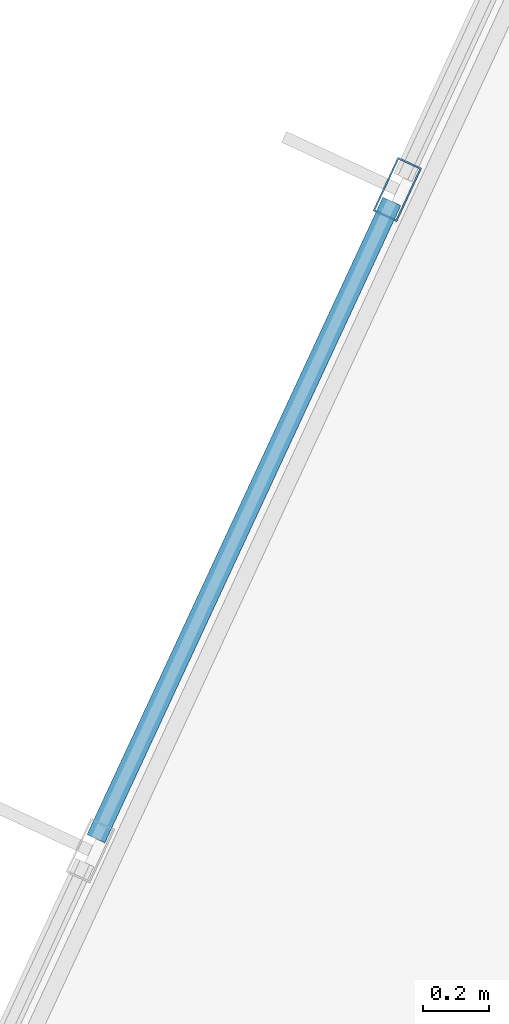
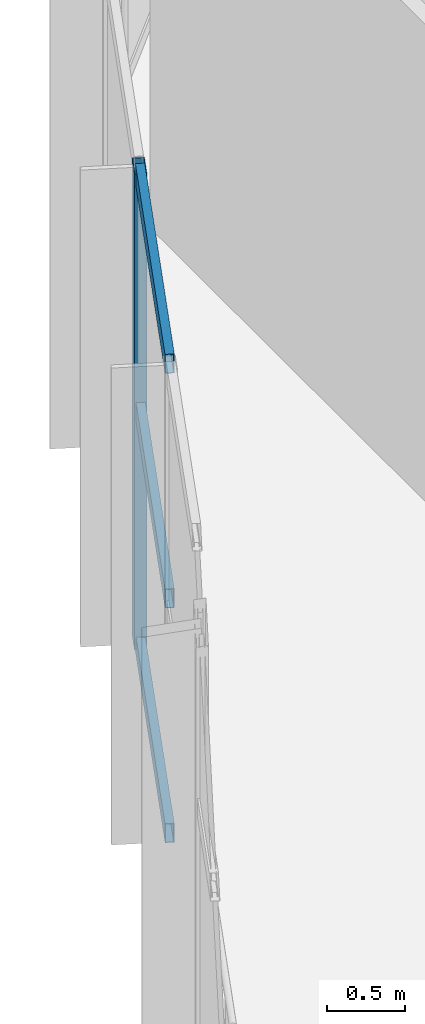
# One storey, part 22 of 167: 4 members, 1 element without a shape of its own.
"""IFC4 building model written with IfcOpenShell, lengths in metres."""

from ifc_helpers import new_model, si_unit, direction, frame, origin, origin_2d, place, context, subcontext, project, spatial, hollow_rectangle, extrude, material, layer, layer_set, material_profile, profile_set, type_object, element, aggregate, save


model = new_model("IFC4")

# Units and contexts
model_context = context("Model", 3, precision=1e-05, world=origin(), true_north=direction((0.0, 1.0)))
body_context = subcontext(model_context, "Body", "Model", "MODEL_VIEW")
ifc_project = project(units=[si_unit("LENGTHUNIT", "METRE"), si_unit("AREAUNIT", "SQUARE_METRE"), si_unit("VOLUMEUNIT", "CUBIC_METRE"), si_unit("PLANEANGLEUNIT", "RADIAN"), si_unit("MASSUNIT", "GRAM", prefix="KILO")], contexts=[model_context])

# Site, building, storey
site_placement = place(None, origin())
site = spatial("IfcSite", under=ifc_project, at=site_placement, CompositionType="ELEMENT")
building_placement = place(site_placement, origin())
building = spatial("IfcBuilding", under=site, at=building_placement, Name="Zizhar Promenade General Hospital", CompositionType="ELEMENT")
storey_placement = place(building_placement, frame((0.0, 0.0, 9.60009765625)))
storey = spatial("IfcBuildingStorey", under=building, at=storey_placement, Name="L02", CompositionType="ELEMENT", Elevation=9.60009765625)

# Curtain wall, members
ifc_material_1 = material(Name="Anodised aluminium 6063-T6 and low-E glass", Category="aluminium")
ifc_layer = layer(ifc_material_1, 0.159912109375)
ifc_layer_set = layer_set([ifc_layer], Name="Anodised aluminium 6063-T6 and low-E glass")
curtain_wall_type = type_object("IfcCurtainWallType", Name="CW-DT-MOD2", PredefinedType="NOTDEFINED", material=ifc_layer_set)
curtain_wall_placement = place(storey_placement, origin())
curtain_wall = element("IfcCurtainWall", 1, at=curtain_wall_placement, inside=storey, type_object=curtain_wall_type, Name="West Diagnostic Arm Glazed Curtain Wall L02-NW1", PredefinedType="NOTDEFINED")
ifc_material_2 = material(Name="Anodised aluminium 6063-T6", Category="aluminium")
ifc_material_profile_1 = material_profile(ifc_material_2, hollow_rectangle(XDim=0.080078125, YDim=0.179931640625, WallThickness=0.0048828125, at=origin_2d()))
ifc_profile_set_1 = profile_set([ifc_material_profile_1], Name="Anodised aluminium 6063-T6")
member_type_1 = type_object("IfcMemberType", Name="CWM-ALU-180x80", PredefinedType="MULLION", material=ifc_profile_set_1)
member_1_placement = place(storey_placement, frame((5.77001953125, 62.82763671875, 0.0), z_axis=(0.0, 0.0, 1.0), x_axis=(-0.907007278189, 0.421114945486, 0.0)))
member_1 = element("IfcMember", 2, at=member_1_placement, type_object=member_type_1, Name="CW-08 mullion 7", PredefinedType="MULLION", context=body_context, shape_type="SweptSolid", body=[
    extrude(hollow_rectangle(XDim=0.080078125, YDim=0.179931640625, WallThickness=0.0048828125, at=origin_2d()), origin(), (0.0, 0.0, 1.0), 3.72998046875),
])
ifc_material_3 = material(Name="Anodised aluminium 6063-T6", Category="aluminium")
ifc_material_profile_2 = material_profile(ifc_material_3, hollow_rectangle(XDim=0.06005859375, YDim=0.14990234375, WallThickness=0.00390625, at=origin_2d()))
ifc_profile_set_2 = profile_set([ifc_material_profile_2], Name="Anodised aluminium 6063-T6")
member_type_2 = type_object("IfcMemberType", Name="CWT-ALU-150x60", PredefinedType="USERDEFINED", material=ifc_profile_set_2)
member_2_placement = place(storey_placement, frame((4.851806640625, 60.85009765625, 0.02978515625), z_axis=(0.421154876076, 0.906988737724, 0.0), x_axis=(-0.906988737724, 0.421154876076, 0.0)))
member_2 = element("IfcMember", 3, at=member_2_placement, type_object=member_type_2, Name="CW-08 transom 6.1", ObjectType="TRANSOM", PredefinedType="USERDEFINED", context=body_context, shape_type="SweptSolid", body=[
    extrude(hollow_rectangle(XDim=0.06005859375, YDim=0.14990234375, WallThickness=0.00390625, at=origin_2d()), origin(), (0.0, 0.0, 1.0), 2.14013671875),
])
member_3_placement = place(storey_placement, frame((4.851806640625, 60.85009765625, 1.864990234375), z_axis=(0.421154876076, 0.906988737724, 0.0), x_axis=(-0.906988737724, 0.421154876076, 0.0)))
member_3 = element("IfcMember", 4, at=member_3_placement, type_object=member_type_2, Name="CW-08 transom 6.2", ObjectType="TRANSOM", PredefinedType="USERDEFINED", context=body_context, shape_type="SweptSolid", body=[
    extrude(hollow_rectangle(XDim=0.06005859375, YDim=0.14990234375, WallThickness=0.00390625, at=origin_2d()), origin(), (0.0, 0.0, 1.0), 2.14013671875),
])
member_4_placement = place(storey_placement, frame((4.851806640625, 60.85009765625, 3.699951171875), z_axis=(0.421154876076, 0.906988737724, 0.0), x_axis=(-0.906988737724, 0.421154876076, 0.0)))
member_4 = element("IfcMember", 5, at=member_4_placement, type_object=member_type_2, Name="CW-08 transom 6.3", ObjectType="TRANSOM", PredefinedType="USERDEFINED", context=body_context, shape_type="SweptSolid", body=[
    extrude(hollow_rectangle(XDim=0.06005859375, YDim=0.14990234375, WallThickness=0.00390625, at=origin_2d()), origin(), (0.0, 0.0, 1.0), 2.14013671875),
])
aggregate(curtain_wall, [member_1, member_2, member_3, member_4])

save(model, "model.ifc")
